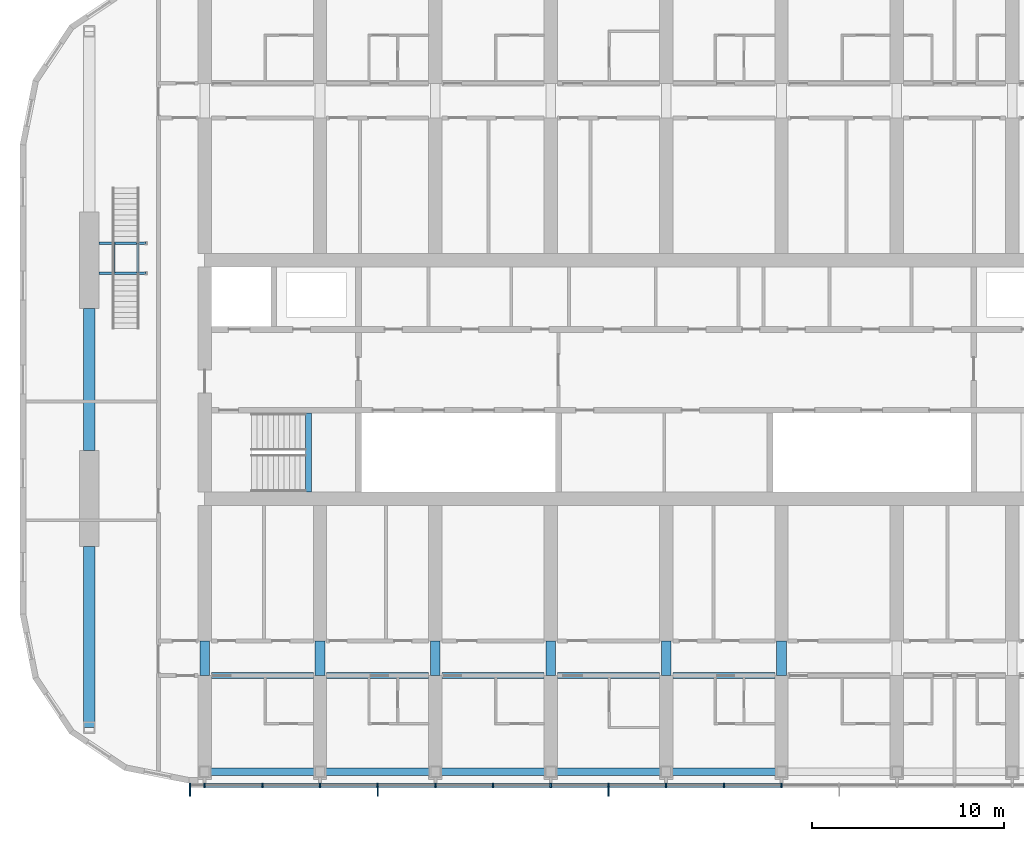
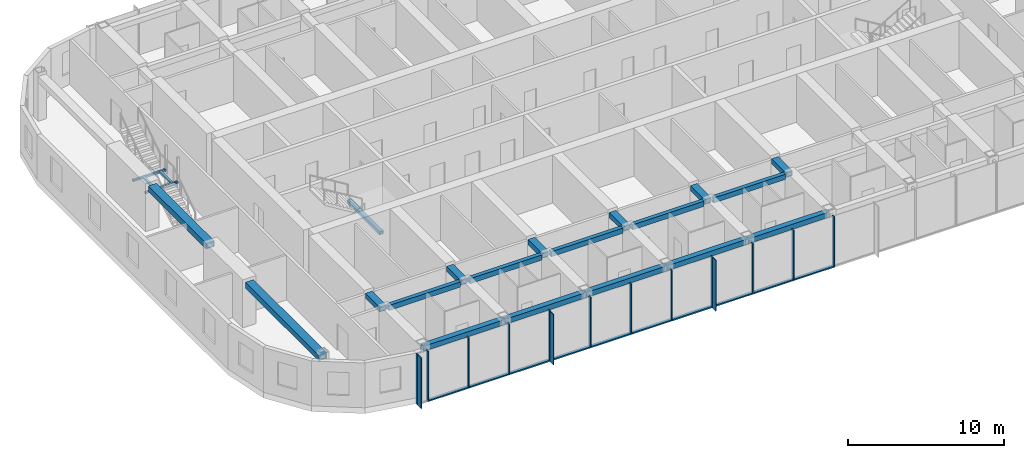
# One storey, part 4 of 28: 25 members, 23 beams, 1 element without a shape of its own.
"""IFC4 building model written with IfcOpenShell, lengths in metres."""

from ifc_helpers import new_model, si_unit, direction, frame, origin, origin_2d, place, context, subcontext, project, spatial, rectangle, hollow_rectangle, extrude, material, material_profile, profile_set, type_object, element, aggregate, save


model = new_model("IFC4")

# Units and contexts
model_context = context("Model", 3, precision=1e-05, world=origin(), true_north=direction((0.0, 1.0)))
body_context = subcontext(model_context, "Body", "Model", "MODEL_VIEW")
ifc_project = project(units=[si_unit("LENGTHUNIT", "METRE"), si_unit("AREAUNIT", "SQUARE_METRE"), si_unit("VOLUMEUNIT", "CUBIC_METRE"), si_unit("PLANEANGLEUNIT", "RADIAN"), si_unit("MASSUNIT", "GRAM", prefix="KILO")], contexts=[model_context])

# Site, building, storey
site_placement = place(None, origin())
site = spatial("IfcSite", under=ifc_project, at=site_placement, CompositionType="ELEMENT")
building_placement = place(site_placement, origin())
building = spatial("IfcBuilding", under=site, at=building_placement, Name="Orbita Commons", CompositionType="ELEMENT")
storey_placement = place(building_placement, frame((0.0, 0.0, 216.550048828125)))
storey = spatial("IfcBuildingStorey", under=building, at=storey_placement, Name="L53", CompositionType="ELEMENT", Elevation=216.550048828125)

# Curtain wall, members
ifc_material_1 = material(Name="Anodised aluminium frame, pale silver", Category="aluminium")
curtain_wall_type = type_object("IfcCurtainWallType", Name="Unitised curtain wall CW-U, full-height vision", PredefinedType="NOTDEFINED", material=ifc_material_1)
curtain_wall_placement = place(storey_placement, origin())
curtain_wall = element("IfcCurtainWall", 1, at=curtain_wall_placement, inside=storey, type_object=curtain_wall_type, Name="Curtain wall south L53", PredefinedType="NOTDEFINED")
ifc_material_2 = material(Name="Anodised aluminium, pale silver", Category="aluminium")
ifc_material_profile_1 = material_profile(ifc_material_2, rectangle(XDim=0.080078125, YDim=0.219970703125, at=origin_2d()), Name="AL 80x220")
ifc_profile_set_1 = profile_set([ifc_material_profile_1], Name="Anodised aluminium, pale silver")
member_type_1 = type_object("IfcMemberType", Name="Curtain wall mullion 80x220", PredefinedType="MULLION", material=ifc_profile_set_1)
member_1_placement = place(storey_placement, frame((17.239990234375, 10.889892578125, -0.449951171875), z_axis=(0.0, 0.0, 1.0), x_axis=(1.0, 0.0, 0.0)))
member_1 = element("IfcMember", 2, at=member_1_placement, type_object=member_type_1, Name="Mullion 1 CW-L53-S", PredefinedType="MULLION", context=body_context, shape_type="SweptSolid", body=[
    extrude(rectangle(XDim=0.080078125, YDim=0.219970703125, at=origin_2d()), origin(), (0.0, 0.0, 1.0), 3.949951171875),
])
member_2_placement = place(storey_placement, frame((18.0, 10.889892578125, -0.449951171875), z_axis=(0.0, 0.0, 1.0), x_axis=(1.0, 0.0, 0.0)))
member_2 = element("IfcMember", 3, at=member_2_placement, type_object=member_type_1, Name="Mullion 2 CW-L53-S", PredefinedType="MULLION", context=body_context, shape_type="SweptSolid", body=[
    extrude(rectangle(XDim=0.080078125, YDim=0.219970703125, at=origin_2d()), origin(), (0.0, 0.0, 1.0), 3.949951171875),
])
member_3_placement = place(storey_placement, frame((21.0, 10.889892578125, -0.449951171875), z_axis=(0.0, 0.0, 1.0), x_axis=(1.0, 0.0, 0.0)))
member_3 = element("IfcMember", 4, at=member_3_placement, type_object=member_type_1, Name="Mullion 3 CW-L53-S", PredefinedType="MULLION", context=body_context, shape_type="SweptSolid", body=[
    extrude(rectangle(XDim=0.080078125, YDim=0.219970703125, at=origin_2d()), origin(), (0.0, 0.0, 1.0), 3.949951171875),
])
member_4_placement = place(storey_placement, frame((24.0, 10.889892578125, -0.449951171875), z_axis=(0.0, 0.0, 1.0), x_axis=(1.0, 0.0, 0.0)))
member_4 = element("IfcMember", 5, at=member_4_placement, type_object=member_type_1, Name="Mullion 4 CW-L53-S", PredefinedType="MULLION", context=body_context, shape_type="SweptSolid", body=[
    extrude(rectangle(XDim=0.080078125, YDim=0.219970703125, at=origin_2d()), origin(), (0.0, 0.0, 1.0), 3.949951171875),
])
member_5_placement = place(storey_placement, frame((27.0, 10.889892578125, -0.449951171875), z_axis=(0.0, 0.0, 1.0), x_axis=(1.0, 0.0, 0.0)))
member_5 = element("IfcMember", 6, at=member_5_placement, type_object=member_type_1, Name="Mullion 5 CW-L53-S", PredefinedType="MULLION", context=body_context, shape_type="SweptSolid", body=[
    extrude(rectangle(XDim=0.080078125, YDim=0.219970703125, at=origin_2d()), origin(), (0.0, 0.0, 1.0), 3.949951171875),
])
member_6_placement = place(storey_placement, frame((30.0, 10.889892578125, -0.449951171875), z_axis=(0.0, 0.0, 1.0), x_axis=(1.0, 0.0, 0.0)))
member_6 = element("IfcMember", 7, at=member_6_placement, type_object=member_type_1, Name="Mullion 6 CW-L53-S", PredefinedType="MULLION", context=body_context, shape_type="SweptSolid", body=[
    extrude(rectangle(XDim=0.080078125, YDim=0.219970703125, at=origin_2d()), origin(), (0.0, 0.0, 1.0), 3.949951171875),
])
member_7_placement = place(storey_placement, frame((33.0, 10.889892578125, -0.449951171875), z_axis=(0.0, 0.0, 1.0), x_axis=(1.0, 0.0, 0.0)))
member_7 = element("IfcMember", 8, at=member_7_placement, type_object=member_type_1, Name="Mullion 7 CW-L53-S", PredefinedType="MULLION", context=body_context, shape_type="SweptSolid", body=[
    extrude(rectangle(XDim=0.080078125, YDim=0.219970703125, at=origin_2d()), origin(), (0.0, 0.0, 1.0), 3.949951171875),
])
member_8_placement = place(storey_placement, frame((36.0, 10.889892578125, -0.449951171875), z_axis=(0.0, 0.0, 1.0), x_axis=(1.0, 0.0, 0.0)))
member_8 = element("IfcMember", 9, at=member_8_placement, type_object=member_type_1, Name="Mullion 8 CW-L53-S", PredefinedType="MULLION", context=body_context, shape_type="SweptSolid", body=[
    extrude(rectangle(XDim=0.080078125, YDim=0.219970703125, at=origin_2d()), origin(), (0.0, 0.0, 1.0), 3.949951171875),
])
member_9_placement = place(storey_placement, frame((39.0, 10.889892578125, -0.449951171875), z_axis=(0.0, 0.0, 1.0), x_axis=(1.0, 0.0, 0.0)))
member_9 = element("IfcMember", 10, at=member_9_placement, type_object=member_type_1, Name="Mullion 9 CW-L53-S", PredefinedType="MULLION", context=body_context, shape_type="SweptSolid", body=[
    extrude(rectangle(XDim=0.080078125, YDim=0.219970703125, at=origin_2d()), origin(), (0.0, 0.0, 1.0), 3.949951171875),
])
member_10_placement = place(storey_placement, frame((42.0, 10.889892578125, -0.449951171875), z_axis=(0.0, 0.0, 1.0), x_axis=(1.0, 0.0, 0.0)))
member_10 = element("IfcMember", 11, at=member_10_placement, type_object=member_type_1, Name="Mullion 10 CW-L53-S", PredefinedType="MULLION", context=body_context, shape_type="SweptSolid", body=[
    extrude(rectangle(XDim=0.080078125, YDim=0.219970703125, at=origin_2d()), origin(), (0.0, 0.0, 1.0), 3.949951171875),
])
member_11_placement = place(storey_placement, frame((45.0, 10.889892578125, -0.449951171875), z_axis=(0.0, 0.0, 1.0), x_axis=(1.0, 0.0, 0.0)))
member_11 = element("IfcMember", 12, at=member_11_placement, type_object=member_type_1, Name="Mullion 11 CW-L53-S", PredefinedType="MULLION", context=body_context, shape_type="SweptSolid", body=[
    extrude(rectangle(XDim=0.080078125, YDim=0.219970703125, at=origin_2d()), origin(), (0.0, 0.0, 1.0), 3.949951171875),
])
member_12_placement = place(storey_placement, frame((48.0, 10.889892578125, -0.449951171875), z_axis=(0.0, 0.0, 1.0), x_axis=(1.0, 0.0, 0.0)))
member_12 = element("IfcMember", 13, at=member_12_placement, type_object=member_type_1, Name="Mullion 12 CW-L53-S", PredefinedType="MULLION", context=body_context, shape_type="SweptSolid", body=[
    extrude(rectangle(XDim=0.080078125, YDim=0.219970703125, at=origin_2d()), origin(), (0.0, 0.0, 1.0), 3.949951171875),
])
ifc_material_3 = material(Name="Anodised aluminium, pale silver", Category="aluminium")
ifc_material_profile_2 = material_profile(ifc_material_3, rectangle(XDim=0.219970703125, YDim=0.10009765625, at=origin_2d()), Name="AL 220x100")
ifc_profile_set_2 = profile_set([ifc_material_profile_2], Name="Anodised aluminium, pale silver")
member_type_2 = type_object("IfcMemberType", Name="Curtain wall stack transom 220x100", PredefinedType="USERDEFINED", material=ifc_profile_set_2)
member_13_placement = place(storey_placement, frame((18.0400390625, 10.889892578125, -0.400146484375), z_axis=(1.0, 0.0, 0.0), x_axis=(0.0, 1.0, 0.0)))
member_13 = element("IfcMember", 14, at=member_13_placement, type_object=member_type_2, Name="Transom 2.1 CW-L53-S", ObjectType="TRANSOM", PredefinedType="USERDEFINED", context=body_context, shape_type="SweptSolid", body=[
    extrude(rectangle(XDim=0.219970703125, YDim=0.10009765625, at=origin_2d()), origin(), (0.0, 0.0, 1.0), 2.919921875),
])
member_14_placement = place(storey_placement, frame((21.0400390625, 10.889892578125, -0.400146484375), z_axis=(1.0, 0.0, 0.0), x_axis=(0.0, 1.0, 0.0)))
member_14 = element("IfcMember", 15, at=member_14_placement, type_object=member_type_2, Name="Transom 3.1 CW-L53-S", ObjectType="TRANSOM", PredefinedType="USERDEFINED", context=body_context, shape_type="SweptSolid", body=[
    extrude(rectangle(XDim=0.219970703125, YDim=0.10009765625, at=origin_2d()), origin(), (0.0, 0.0, 1.0), 2.919921875),
])
member_15_placement = place(storey_placement, frame((24.0400390625, 10.889892578125, -0.400146484375), z_axis=(1.0, 0.0, 0.0), x_axis=(0.0, 1.0, 0.0)))
member_15 = element("IfcMember", 16, at=member_15_placement, type_object=member_type_2, Name="Transom 4.1 CW-L53-S", ObjectType="TRANSOM", PredefinedType="USERDEFINED", context=body_context, shape_type="SweptSolid", body=[
    extrude(rectangle(XDim=0.219970703125, YDim=0.10009765625, at=origin_2d()), origin(), (0.0, 0.0, 1.0), 2.919921875),
])
member_16_placement = place(storey_placement, frame((27.0400390625, 10.889892578125, -0.400146484375), z_axis=(1.0, 0.0, 0.0), x_axis=(0.0, 1.0, 0.0)))
member_16 = element("IfcMember", 17, at=member_16_placement, type_object=member_type_2, Name="Transom 5.1 CW-L53-S", ObjectType="TRANSOM", PredefinedType="USERDEFINED", context=body_context, shape_type="SweptSolid", body=[
    extrude(rectangle(XDim=0.219970703125, YDim=0.10009765625, at=origin_2d()), origin(), (0.0, 0.0, 1.0), 2.919921875),
])
member_17_placement = place(storey_placement, frame((30.0400390625, 10.889892578125, -0.400146484375), z_axis=(1.0, 0.0, 0.0), x_axis=(0.0, 1.0, 0.0)))
member_17 = element("IfcMember", 18, at=member_17_placement, type_object=member_type_2, Name="Transom 6.1 CW-L53-S", ObjectType="TRANSOM", PredefinedType="USERDEFINED", context=body_context, shape_type="SweptSolid", body=[
    extrude(rectangle(XDim=0.219970703125, YDim=0.10009765625, at=origin_2d()), origin(), (0.0, 0.0, 1.0), 2.919921875),
])
member_18_placement = place(storey_placement, frame((33.0400390625, 10.889892578125, -0.400146484375), z_axis=(1.0, 0.0, 0.0), x_axis=(0.0, 1.0, 0.0)))
member_18 = element("IfcMember", 19, at=member_18_placement, type_object=member_type_2, Name="Transom 7.1 CW-L53-S", ObjectType="TRANSOM", PredefinedType="USERDEFINED", context=body_context, shape_type="SweptSolid", body=[
    extrude(rectangle(XDim=0.219970703125, YDim=0.10009765625, at=origin_2d()), origin(), (0.0, 0.0, 1.0), 2.919921875),
])
member_19_placement = place(storey_placement, frame((36.0400390625, 10.889892578125, -0.400146484375), z_axis=(1.0, 0.0, 0.0), x_axis=(0.0, 1.0, 0.0)))
member_19 = element("IfcMember", 20, at=member_19_placement, type_object=member_type_2, Name="Transom 8.1 CW-L53-S", ObjectType="TRANSOM", PredefinedType="USERDEFINED", context=body_context, shape_type="SweptSolid", body=[
    extrude(rectangle(XDim=0.219970703125, YDim=0.10009765625, at=origin_2d()), origin(), (0.0, 0.0, 1.0), 2.919921875),
])
member_20_placement = place(storey_placement, frame((39.0400390625, 10.889892578125, -0.400146484375), z_axis=(1.0, 0.0, 0.0), x_axis=(0.0, 1.0, 0.0)))
member_20 = element("IfcMember", 21, at=member_20_placement, type_object=member_type_2, Name="Transom 9.1 CW-L53-S", ObjectType="TRANSOM", PredefinedType="USERDEFINED", context=body_context, shape_type="SweptSolid", body=[
    extrude(rectangle(XDim=0.219970703125, YDim=0.10009765625, at=origin_2d()), origin(), (0.0, 0.0, 1.0), 2.919921875),
])
member_21_placement = place(storey_placement, frame((42.0400390625, 10.889892578125, -0.400146484375), z_axis=(1.0, 0.0, 0.0), x_axis=(0.0, 1.0, 0.0)))
member_21 = element("IfcMember", 22, at=member_21_placement, type_object=member_type_2, Name="Transom 10.1 CW-L53-S", ObjectType="TRANSOM", PredefinedType="USERDEFINED", context=body_context, shape_type="SweptSolid", body=[
    extrude(rectangle(XDim=0.219970703125, YDim=0.10009765625, at=origin_2d()), origin(), (0.0, 0.0, 1.0), 2.919921875),
])
member_22_placement = place(storey_placement, frame((45.0400390625, 10.889892578125, -0.400146484375), z_axis=(1.0, 0.0, 0.0), x_axis=(0.0, 1.0, 0.0)))
member_22 = element("IfcMember", 23, at=member_22_placement, type_object=member_type_2, Name="Transom 11.1 CW-L53-S", ObjectType="TRANSOM", PredefinedType="USERDEFINED", context=body_context, shape_type="SweptSolid", body=[
    extrude(rectangle(XDim=0.219970703125, YDim=0.10009765625, at=origin_2d()), origin(), (0.0, 0.0, 1.0), 2.919921875),
])

# Beams
ifc_material_4 = material(Name="Steel ASTM A992", Category="steel")
ifc_material_profile_3 = material_profile(ifc_material_4, hollow_rectangle(XDim=0.14990234375, YDim=0.14990234375, WallThickness=0.008056640625, at=origin_2d()), Name="SHS 150x150x8")
ifc_profile_set_3 = profile_set([ifc_material_profile_3], Name="Steel ASTM A992")
beam_type_1 = type_object("IfcBeamType", Name="Landing frame beam SHS 150x150x8", PredefinedType="BEAM", material=ifc_profile_set_3)
for number, where, z_axis, x_axis, name in (
    (24, (12.5, 37.52490234375, 1.599853515625), (1.0, 0.0, 0.0), (0.0, 1.0, 0.0), "Neighbourhood stair L53 to L54 landing frame beam 1"),
    (25, (12.5, 39.0849609375, 1.599853515625), (1.0, 0.0, 0.0), (0.0, 1.0, 0.0), "Neighbourhood stair L53 to L54 landing frame beam 2"),
):
    element("IfcBeam", number, at=place(storey_placement, frame(where, z_axis=z_axis, x_axis=x_axis)), inside=storey, type_object=beam_type_1, Name=name, PredefinedType="BEAM", context=body_context, shape_type="SweptSolid", body=[
        extrude(hollow_rectangle(XDim=0.14990234375, YDim=0.14990234375, WallThickness=0.008056640625, at=origin_2d()), origin(), (0.0, 0.0, 1.0), 2.449951171875),
    ])
for number, where, z_axis, x_axis, name in (
    (26, (13.27490234375, 37.52490234375, 1.599853515625), (0.0, 1.0, 0.0), (-1.0, 0.0, 0.0), "Neighbourhood stair L53 to L54 landing frame beam 3"),
    (27, (14.52490234375, 37.52490234375, 1.599853515625), (0.0, 1.0, 0.0), (-1.0, 0.0, 0.0), "Neighbourhood stair L53 to L54 landing frame beam 4"),
):
    element("IfcBeam", number, at=place(storey_placement, frame(where, z_axis=z_axis, x_axis=x_axis)), inside=storey, type_object=beam_type_1, Name=name, PredefinedType="BEAM", context=body_context, shape_type="SweptSolid", body=[
        extrude(hollow_rectangle(XDim=0.14990234375, YDim=0.14990234375, WallThickness=0.008056640625, at=origin_2d()), origin(), (0.0, 0.0, 1.0), 1.56005859375),
    ])
ifc_material_5 = material(Name="Steel ASTM A572 Gr 50 welded plate", Category="steel")
ifc_material_profile_4 = material_profile(ifc_material_5, hollow_rectangle(XDim=0.300048828125, YDim=0.25, WallThickness=0.02490234375, at=origin_2d()), Name="BOX 250x300x25")
ifc_profile_set_4 = profile_set([ifc_material_profile_4], Name="Steel ASTM A572 Gr 50 welded plate")
beam_type_2 = type_object("IfcBeamType", Name="Stair landing beam steel BOX 250x300x25", PredefinedType="BEAM", material=ifc_profile_set_4)
beam_1_placement = place(storey_placement, frame((23.39990234375, 26.135009765625, 1.550048828125), z_axis=(0.0, 1.0, 0.0), x_axis=(-1.0, 0.0, 0.0)))
element("IfcBeam", 28, at=beam_1_placement, inside=storey, type_object=beam_type_2, Name="Stair S1 landing beam L53 1", PredefinedType="BEAM", context=body_context, shape_type="SweptSolid", body=[
    extrude(hollow_rectangle(XDim=0.300048828125, YDim=0.25, WallThickness=0.02490234375, at=origin_2d()), origin(), (0.0, 0.0, 1.0), 4.1298828125),
])
ifc_material_6 = material(Name="Steel ASTM A572 Gr 50 welded plate", Category="steel")
ifc_material_profile_5 = material_profile(ifc_material_6, hollow_rectangle(XDim=0.300048828125, YDim=0.39990234375, WallThickness=0.0400390625, at=origin_2d()), Name="BOX 400x300x40")
ifc_profile_set_5 = profile_set([ifc_material_profile_5], Name="Steel ASTM A572 Gr 50 welded plate")
beam_type_3 = type_object("IfcBeamType", Name="Steel corridor link BOX 400x300x40", PredefinedType="BEAM", material=ifc_profile_set_5)
for number, where, z_axis, x_axis, name in (
    (29, (18.35009765625, 16.60009765625, 3.300048828125), (1.0, 0.0, 0.0), (0.0, 1.0, 0.0), "Corridor beam SA 4-5 L53"),
    (30, (24.35009765625, 16.60009765625, 3.300048828125), (1.0, 0.0, 0.0), (0.0, 1.0, 0.0), "Corridor beam SA 5-6 L53"),
    (31, (30.35009765625, 16.60009765625, 3.300048828125), (1.0, 0.0, 0.0), (0.0, 1.0, 0.0), "Corridor beam SA 6-7 L53"),
    (32, (36.35009765625, 16.60009765625, 3.300048828125), (1.0, 0.0, 0.0), (0.0, 1.0, 0.0), "Corridor beam SA 7-8 L53"),
    (33, (42.35009765625, 16.60009765625, 3.300048828125), (1.0, 0.0, 0.0), (0.0, 1.0, 0.0), "Corridor beam SA 8-9 L53"),
):
    element("IfcBeam", number, at=place(storey_placement, frame(where, z_axis=z_axis, x_axis=x_axis)), inside=storey, type_object=beam_type_3, Name=name, PredefinedType="BEAM", context=body_context, shape_type="SweptSolid", body=[
        extrude(hollow_rectangle(XDim=0.300048828125, YDim=0.39990234375, WallThickness=0.0400390625, at=origin_2d()), origin(), (0.0, 0.0, 1.0), 5.2998046875),
    ])
ifc_material_7 = material(Name="Steel ASTM A572 Gr 50 welded plate", Category="steel")
ifc_material_profile_6 = material_profile(ifc_material_7, hollow_rectangle(XDim=0.5, YDim=0.39990234375, WallThickness=0.050048828125, at=origin_2d()), Name="BOX 400x500x50")
ifc_profile_set_6 = profile_set([ifc_material_profile_6], Name="Steel ASTM A572 Gr 50 welded plate")
beam_type_4 = type_object("IfcBeamType", Name="Steel coupling link BOX 400x500x50", PredefinedType="LINTEL", material=ifc_profile_set_6)
for number, where, z_axis, x_axis, name in (
    (34, (18.0, 16.60009765625, 3.300048828125), (0.0, 1.0, 0.0), (-1.0, 0.0, 0.0), "Coupling beam 4 south L53"),
    (35, (24.0, 16.60009765625, 3.300048828125), (0.0, 1.0, 0.0), (-1.0, 0.0, 0.0), "Coupling beam 5 south L53"),
    (36, (30.0, 16.60009765625, 3.300048828125), (0.0, 1.0, 0.0), (-1.0, 0.0, 0.0), "Coupling beam 6 south L53"),
    (37, (36.0, 16.60009765625, 3.300048828125), (0.0, 1.0, 0.0), (-1.0, 0.0, 0.0), "Coupling beam 7 south L53"),
    (38, (42.0, 16.60009765625, 3.300048828125), (0.0, 1.0, 0.0), (-1.0, 0.0, 0.0), "Coupling beam 8 south L53"),
    (39, (48.0, 16.60009765625, 3.300048828125), (0.0, 1.0, 0.0), (-1.0, 0.0, 0.0), "Coupling beam 9 south L53"),
):
    element("IfcBeam", number, at=place(storey_placement, frame(where, z_axis=z_axis, x_axis=x_axis)), inside=storey, type_object=beam_type_4, Name=name, PredefinedType="LINTEL", context=body_context, shape_type="SweptSolid", body=[
        extrude(hollow_rectangle(XDim=0.5, YDim=0.39990234375, WallThickness=0.050048828125, at=origin_2d()), origin(), (0.0, 0.0, 1.0), 1.7998046875),
    ])
ifc_material_8 = material(Name="Steel ASTM A572 Gr 50 welded plate", Category="steel")
ifc_material_profile_7 = material_profile(ifc_material_8, hollow_rectangle(XDim=0.60009765625, YDim=0.449951171875, WallThickness=0.06005859375, at=origin_2d()), Name="BOX 450x600x60")
ifc_profile_set_7 = profile_set([ifc_material_profile_7], Name="Steel ASTM A572 Gr 50 welded plate")
beam_type_5 = type_object("IfcBeamType", Name="Steel end frame link BOX 450x600x60", PredefinedType="BEAM", material=ifc_profile_set_7)
beam_2_placement = place(storey_placement, frame((12.0, 13.89990234375, 3.27490234375), z_axis=(0.0, 1.0, 0.0), x_axis=(-1.0, 0.0, 0.0)))
element("IfcBeam", 40, at=beam_2_placement, inside=storey, type_object=beam_type_5, Name="End frame beam 3 B-C L53", PredefinedType="BEAM", context=body_context, shape_type="SweptSolid", body=[
    extrude(hollow_rectangle(XDim=0.60009765625, YDim=0.449951171875, WallThickness=0.06005859375, at=origin_2d()), origin(), (0.0, 0.0, 1.0), 9.400146484375),
])
beam_3_placement = place(storey_placement, frame((12.0, 28.300048828125, 3.27490234375), z_axis=(0.0, 1.0, 0.0), x_axis=(-1.0, 0.0, 0.0)))
element("IfcBeam", 41, at=beam_3_placement, inside=storey, type_object=beam_type_5, Name="End frame beam 3 C-D L53", PredefinedType="BEAM", context=body_context, shape_type="SweptSolid", body=[
    extrude(hollow_rectangle(XDim=0.60009765625, YDim=0.449951171875, WallThickness=0.06005859375, at=origin_2d()), origin(), (0.0, 0.0, 1.0), 7.39990234375),
])
ifc_material_9 = material(Name="Steel ASTM A572 Gr 50 welded plate", Category="steel")
ifc_material_profile_8 = material_profile(ifc_material_9, hollow_rectangle(XDim=0.39990234375, YDim=0.39990234375, WallThickness=0.0400390625, at=origin_2d()), Name="BOX 400x400x40")
ifc_profile_set_8 = profile_set([ifc_material_profile_8], Name="Steel ASTM A572 Gr 50 welded plate")
beam_type_6 = type_object("IfcBeamType", Name="Steel spandrel BOX 400x400x40", PredefinedType="SPANDREL", material=ifc_profile_set_8)
for number, where, z_axis, x_axis, name in (
    (42, (18.0, 11.60009765625, 3.300048828125), (1.0, 0.0, 0.0), (0.0, 1.0, 0.0), "Spandrel beam B 4-5 L53"),
    (43, (24.0, 11.60009765625, 3.300048828125), (1.0, 0.0, 0.0), (0.0, 1.0, 0.0), "Spandrel beam B 5-6 L53"),
    (44, (30.0, 11.60009765625, 3.300048828125), (1.0, 0.0, 0.0), (0.0, 1.0, 0.0), "Spandrel beam B 6-7 L53"),
    (45, (36.0, 11.60009765625, 3.300048828125), (1.0, 0.0, 0.0), (0.0, 1.0, 0.0), "Spandrel beam B 7-8 L53"),
    (46, (42.0, 11.60009765625, 3.300048828125), (1.0, 0.0, 0.0), (0.0, 1.0, 0.0), "Spandrel beam B 8-9 L53"),
):
    element("IfcBeam", number, at=place(storey_placement, frame(where, z_axis=z_axis, x_axis=x_axis)), inside=storey, type_object=beam_type_6, Name=name, PredefinedType="SPANDREL", context=body_context, shape_type="SweptSolid", body=[
        extrude(hollow_rectangle(XDim=0.39990234375, YDim=0.39990234375, WallThickness=0.0400390625, at=origin_2d()), origin(), (0.0, 0.0, 1.0), 6.0),
    ])

# Member
ifc_material_10 = material(Name="Anodised aluminium, pale silver", Category="aluminium")
ifc_material_profile_9 = material_profile(ifc_material_10, rectangle(XDim=0.06005859375, YDim=0.449951171875, at=origin_2d()), Name="FIN 60x450")
ifc_profile_set_9 = profile_set([ifc_material_profile_9], Name="Anodised aluminium, pale silver")
member_type_3 = type_object("IfcMemberType", Name="Vertical fin 60x450 pale aluminium", PredefinedType="USERDEFINED", material=ifc_profile_set_9)
member_23_placement = place(storey_placement, frame((17.239990234375, 10.554931640625, -0.449951171875), z_axis=(0.0, 0.0, 1.0), x_axis=(1.0, 0.0, 0.0)))
member_23 = element("IfcMember", 47, at=member_23_placement, type_object=member_type_3, Name="Fin 1 CW-L53-S", ObjectType="FIN", PredefinedType="USERDEFINED", context=body_context, shape_type="SweptSolid", body=[
    extrude(rectangle(XDim=0.06005859375, YDim=0.449951171875, at=origin_2d()), origin(), (0.0, 0.0, 1.0), 3.949951171875),
])

member_24_placement = place(storey_placement, frame((27.0, 10.554931640625, -0.449951171875), z_axis=(0.0, 0.0, 1.0), x_axis=(1.0, 0.0, 0.0)))
member_24 = element("IfcMember", 48, at=member_24_placement, type_object=member_type_3, Name="Fin 5 CW-L53-S", ObjectType="FIN", PredefinedType="USERDEFINED", context=body_context, shape_type="SweptSolid", body=[
    extrude(rectangle(XDim=0.06005859375, YDim=0.449951171875, at=origin_2d()), origin(), (0.0, 0.0, 1.0), 3.949951171875),
])

member_25_placement = place(storey_placement, frame((39.0, 10.554931640625, -0.449951171875), z_axis=(0.0, 0.0, 1.0), x_axis=(1.0, 0.0, 0.0)))
member_25 = element("IfcMember", 49, at=member_25_placement, type_object=member_type_3, Name="Fin 9 CW-L53-S", ObjectType="FIN", PredefinedType="USERDEFINED", context=body_context, shape_type="SweptSolid", body=[
    extrude(rectangle(XDim=0.06005859375, YDim=0.449951171875, at=origin_2d()), origin(), (0.0, 0.0, 1.0), 3.949951171875),
])

aggregate(curtain_wall, [member_1, member_23, member_2, member_3, member_4, member_5, member_24, member_6, member_7, member_8, member_9, member_25, member_10, member_11, member_12, member_13, member_14, member_15, member_16, member_17, member_18, member_19, member_20, member_21, member_22])

save(model, "model.ifc")
